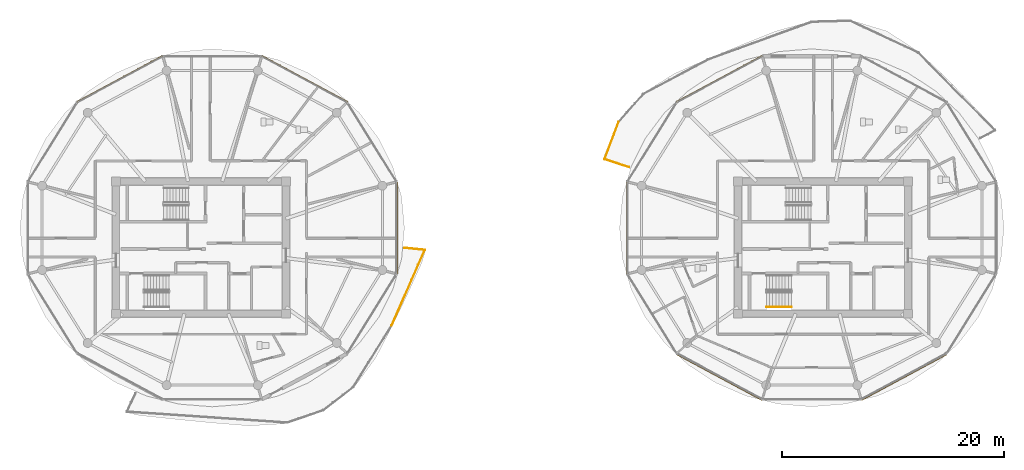
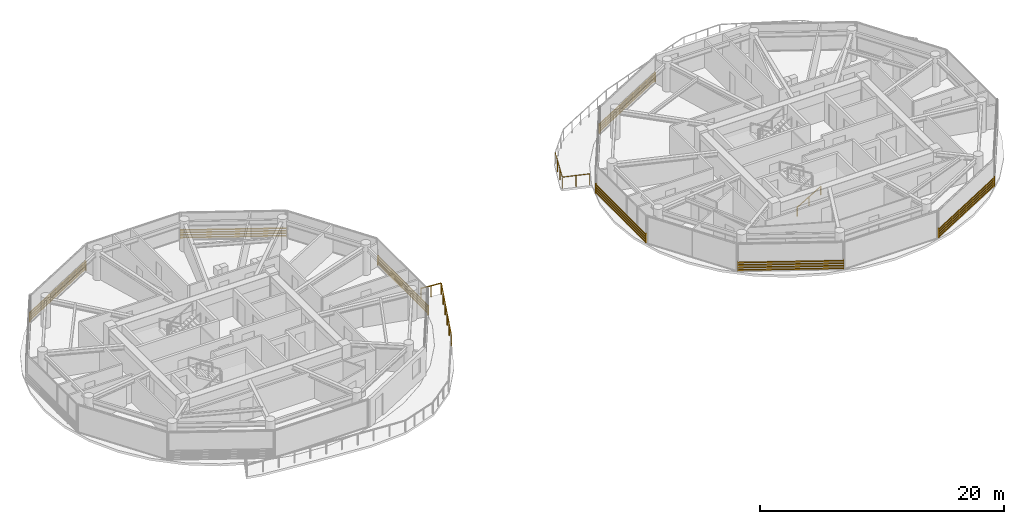
# One storey, part 20 of 23: 7 shading devices, 3 railings.
"""IFC4 building model written with IfcOpenShell, lengths in metres."""

from ifc_helpers import new_model, si_unit, direction, frame, origin, origin_2d, place, context, subcontext, project, spatial, rectangle, extrude, source, transform, mapped, material, type_object, type_shapes, element, save


model = new_model("IFC4")

# Units and contexts
model_context = context("Model", 3, precision=1e-05, world=origin(), true_north=direction((0.0, 1.0)))
body_context = subcontext(model_context, "Body", "Model", "MODEL_VIEW")
ifc_project = project(units=[si_unit("LENGTHUNIT", "METRE"), si_unit("AREAUNIT", "SQUARE_METRE"), si_unit("VOLUMEUNIT", "CUBIC_METRE"), si_unit("PLANEANGLEUNIT", "RADIAN"), si_unit("MASSUNIT", "GRAM", prefix="KILO")], contexts=[model_context])

# Site, building, storey
site_placement = place(None, origin())
site = spatial("IfcSite", under=ifc_project, at=site_placement, CompositionType="ELEMENT")
building_placement = place(site_placement, origin())
building = spatial("IfcBuilding", under=site, at=building_placement, Name="Norrkilde Senior Care Towers", CompositionType="ELEMENT")
storey_placement = place(building_placement, frame((0.0, 0.0, 177.0)))
storey = spatial("IfcBuildingStorey", under=building, at=storey_placement, Name="L55", CompositionType="ELEMENT", Elevation=177.0)

# Railings
ifc_material_1 = material(Name="Anodised Aluminium", Category="aluminium")
railing_type_1 = type_object("IfcRailingType", Name="Balcony Swirl Ribbon Guardrail 1150", PredefinedType="GUARDRAIL", material=ifc_material_1)
railing_1_placement = place(storey_placement, frame((10.517333984375, 7.234375, 0.0)))
element("IfcRailing", 1, at=railing_1_placement, inside=storey, type_object=railing_type_1, Name="L55 Perimeter Safety Guard 02", PredefinedType="GUARDRAIL", context=body_context, shape_type="SweptSolid", body=[
    extrude(rectangle(XDim=0.048095703125, YDim=0.048095703125, at=origin_2d()), frame((0.0, 0.0, 1.1259765625), z_axis=(-0.950554969284, 0.310556356189, 0.0), x_axis=(-0.310556356189, -0.950554969284, 0.0)), (0.0, 0.0, 1.0), 2.26025390625),
    extrude(rectangle(XDim=0.048095703125, YDim=0.048095703125, at=origin_2d()), frame((-2.1728515625, 0.7529296875, 1.1259765625), z_axis=(0.352679073065, 0.935744340844, 0.0), x_axis=(-0.935744340844, 0.352679073065, 0.0)), (0.0, 0.0, 1.0), 3.552490234375),
    extrude(rectangle(XDim=0.0419921875, YDim=0.0419921875, at=origin_2d()), origin(), (0.0, 0.0, 1.0), 1.099853515625),
    extrude(rectangle(XDim=0.0419921875, YDim=0.0419921875, at=origin_2d()), frame((-1.09375, 0.357421875, 0.0)), (0.0, 0.0, 1.0), 1.099853515625),
    extrude(rectangle(XDim=0.0419921875, YDim=0.0419921875, at=origin_2d()), frame((-2.187255859375, 0.714599609375, 0.0)), (0.0, 0.0, 1.0), 1.099853515625),
    extrude(rectangle(XDim=0.0419921875, YDim=0.0419921875, at=origin_2d()), frame((-1.764892578125, 1.83544921875, 0.0)), (0.0, 0.0, 1.0), 1.099853515625),
    extrude(rectangle(XDim=0.0419921875, YDim=0.0419921875, at=origin_2d()), frame((-1.34228515625, 2.956298828125, 0.0)), (0.0, 0.0, 1.0), 1.099853515625),
    extrude(rectangle(XDim=0.0419921875, YDim=0.0419921875, at=origin_2d()), frame((-0.919921875, 4.0771484375, 0.0)), (0.0, 0.0, 1.0), 1.099853515625),
])
railing_2_placement = place(storey_placement, frame((-9.6640625, -0.03076171875, 0.0)))
element("IfcRailing", 2, at=railing_2_placement, inside=storey, type_object=railing_type_1, Name="L55 Perimeter Safety Guard 04", PredefinedType="GUARDRAIL", context=body_context, shape_type="SweptSolid", body=[
    extrude(rectangle(XDim=0.048095703125, YDim=0.048095703125, at=origin_2d()), frame((0.0, 0.0, 1.1259765625), z_axis=(0.995060971819, -0.099265615207, 0.0), x_axis=(0.099265615207, 0.995060971819, 0.0)), (0.0, 0.0, 1.0), 1.78662109375),
    extrude(rectangle(XDim=0.048095703125, YDim=0.048095703125, at=origin_2d()), frame((1.802001953125, -0.21875, 1.1259765625), z_axis=(-0.402076862804, -0.915605917629, 0.0), x_axis=(0.915605917629, -0.402076862804, 0.0)), (0.0, 0.0, 1.0), 7.37841796875),
    extrude(rectangle(XDim=0.0419921875, YDim=0.0419921875, at=origin_2d()), origin(), (0.0, 0.0, 1.0), 1.099853515625),
    extrude(rectangle(XDim=0.0419921875, YDim=0.0419921875, at=origin_2d()), frame((0.9091796875, -0.0908203125, 0.0)), (0.0, 0.0, 1.0), 1.099853515625),
    extrude(rectangle(XDim=0.0419921875, YDim=0.0419921875, at=origin_2d()), frame((1.818359375, -0.181396484375, 0.0)), (0.0, 0.0, 1.0), 1.099853515625),
    extrude(rectangle(XDim=0.0419921875, YDim=0.0419921875, at=origin_2d()), frame((1.2216796875, -1.5400390625, 0.0)), (0.0, 0.0, 1.0), 1.099853515625),
    extrude(rectangle(XDim=0.0419921875, YDim=0.0419921875, at=origin_2d()), frame((0.625, -2.898681640625, 0.0)), (0.0, 0.0, 1.0), 1.099853515625),
    extrude(rectangle(XDim=0.0419921875, YDim=0.0419921875, at=origin_2d()), frame((0.028564453125, -4.25732421875, 0.0)), (0.0, 0.0, 1.0), 1.099853515625),
    extrude(rectangle(XDim=0.0419921875, YDim=0.0419921875, at=origin_2d()), frame((-0.568115234375, -5.615966796875, 0.0)), (0.0, 0.0, 1.0), 1.099853515625),
    extrude(rectangle(XDim=0.0419921875, YDim=0.0419921875, at=origin_2d()), frame((-1.164794921875, -6.974609375, 0.0)), (0.0, 0.0, 1.0), 1.099853515625),
])
ifc_material_2 = material(Name="Nordic Ash Timber", Category="wood")
railing_type_2 = type_object("IfcRailingType", Name="Wall and Stair Handrail 900", PredefinedType="HANDRAIL", material=ifc_material_2)
railing_3_placement = place(storey_placement, frame((22.89990234375, -5.35009765625, 0.16943359375)))
element("IfcRailing", 3, at=railing_3_placement, inside=storey, type_object=railing_type_2, Name="L55 ST-E2 stair handrail 1", PredefinedType="HANDRAIL", context=body_context, shape_type="SweptSolid", body=[
    extrude(rectangle(XDim=0.048095703125, YDim=0.048095703125, at=origin_2d()), frame((0.0, 0.0, 0.8759765625), z_axis=(0.855553338991, 0.0, 0.51771467445), x_axis=(0.0, 1.0, 0.0)), (0.0, 0.0, 1.0), 2.6181640625),
    extrude(rectangle(XDim=0.0419921875, YDim=0.0419921875, at=origin_2d()), origin(), (0.0, 0.0, 1.0), 0.849853515625),
    extrude(rectangle(XDim=0.0419921875, YDim=0.0419921875, at=origin_2d()), frame((1.1201171875, 0.0, 0.677734375)), (0.0, 0.0, 1.0), 0.849853515625),
    extrude(rectangle(XDim=0.0419921875, YDim=0.0419921875, at=origin_2d()), frame((2.239990234375, 0.0, 1.35546875)), (0.0, 0.0, 1.0), 0.849853515625),
])

# Shading devices
ifc_material_3 = material(Name="Architectural Terracotta", Category="masonry")
shading_device_type = type_object("IfcShadingDeviceType", Name="Horizontal Terracotta Baguette Rack", PredefinedType="USERDEFINED", material=ifc_material_3)
shared_shape_1 = source(origin(), body_context, "Body", "SweptSolid", [
    extrude(rectangle(XDim=0.070068359375, YDim=0.110107421875, at=origin_2d()), frame((0.0, 0.090087890625, 0.125), z_axis=(1.0, 0.0, 0.0), x_axis=(0.0, 1.0, 0.0)), (0.0, 0.0, 1.0), 8.741943359375),
    extrude(rectangle(XDim=0.070068359375, YDim=0.110107421875, at=origin_2d()), frame((0.0, 0.090087890625, 0.375), z_axis=(1.0, 0.0, 0.0), x_axis=(0.0, 1.0, 0.0)), (0.0, 0.0, 1.0), 8.741943359375),
    extrude(rectangle(XDim=0.070068359375, YDim=0.110107421875, at=origin_2d()), frame((0.0, 0.090087890625, 0.625), z_axis=(1.0, 0.0, 0.0), x_axis=(0.0, 1.0, 0.0)), (0.0, 0.0, 1.0), 8.741943359375),
    extrude(rectangle(XDim=0.070068359375, YDim=0.110107421875, at=origin_2d()), frame((0.0, 0.090087890625, 0.875), z_axis=(1.0, 0.0, 0.0), x_axis=(0.0, 1.0, 0.0)), (0.0, 0.0, 1.0), 8.741943359375),
    extrude(rectangle(XDim=0.050048828125, YDim=0.1552734375, at=origin_2d()), frame((0.02490234375, 0.047607421875, 0.0)), (0.0, 0.0, 1.0), 1.0),
    extrude(rectangle(XDim=0.050048828125, YDim=0.1552734375, at=origin_2d()), frame((8.716796875, 0.047607421875, 0.0)), (0.0, 0.0, 1.0), 1.0),
])
for number, where, z_axis, x_axis, name in (
    (4, (-22.528564453125, 17.2109375, 0.080078125), (0.0, 0.0, 1.0), (0.881000921608, -0.473119781048, 0.0), "L55 Drum W Terracotta Baguette Screen 01"),
    (5, (14.826904296875, 13.074951171875, 0.080078125), (0.0, 0.0, 1.0), (0.881000921608, 0.473119781048, 0.0), "L55 Drum E Terracotta Baguette Screen 03"),
    (6, (22.528564453125, -13.66015625, 0.080078125), (0.0, 0.0, 1.0), (-0.881000921608, 0.473119781048, 0.0), "L55 Drum E Terracotta Baguette Screen 07"),
):
    element("IfcShadingDevice", number, at=place(storey_placement, frame(where, z_axis=z_axis, x_axis=x_axis)), inside=storey, type_object=shading_device_type, Name=name, ObjectType="BAGUETTE", PredefinedType="USERDEFINED", context=body_context, shape_type="MappedRepresentation", body=[
        mapped(shared_shape_1, transform((0.0, 0.0, 0.0), x_axis=(1.0, 0.0, 0.0), y_axis=(0.0, 1.0, 0.0), z_axis=(0.0, 0.0, 1.0), scale=1.0)),
    ])
shared_shape_2 = source(origin(), body_context, "Body", "SweptSolid", [
    extrude(rectangle(XDim=0.070068359375, YDim=0.110107421875, at=origin_2d()), frame((0.0, 0.090087890625, 0.125), z_axis=(1.0, 0.0, 0.0), x_axis=(0.0, 1.0, 0.0)), (0.0, 0.0, 1.0), 8.74169921875),
    extrude(rectangle(XDim=0.070068359375, YDim=0.110107421875, at=origin_2d()), frame((0.0, 0.090087890625, 0.375), z_axis=(1.0, 0.0, 0.0), x_axis=(0.0, 1.0, 0.0)), (0.0, 0.0, 1.0), 8.74169921875),
    extrude(rectangle(XDim=0.070068359375, YDim=0.110107421875, at=origin_2d()), frame((0.0, 0.090087890625, 0.625), z_axis=(1.0, 0.0, 0.0), x_axis=(0.0, 1.0, 0.0)), (0.0, 0.0, 1.0), 8.74169921875),
    extrude(rectangle(XDim=0.070068359375, YDim=0.110107421875, at=origin_2d()), frame((0.0, 0.090087890625, 0.875), z_axis=(1.0, 0.0, 0.0), x_axis=(0.0, 1.0, 0.0)), (0.0, 0.0, 1.0), 8.74169921875),
    extrude(rectangle(XDim=0.050048828125, YDim=0.1552734375, at=origin_2d()), frame((0.02490234375, 0.047607421875, 0.0)), (0.0, 0.0, 1.0), 1.0),
    extrude(rectangle(XDim=0.050048828125, YDim=0.1552734375, at=origin_2d()), frame((8.716796875, 0.047607421875, 0.0)), (0.0, 0.0, 1.0), 1.0),
])
for number, where, z_axis, x_axis, name in (
    (7, (-39.123046875, 13.074951171875, 0.080078125), (0.0, 0.0, 1.0), (0.880997598168, 0.47313299447, 0.0), "L55 Drum W Terracotta Baguette Screen 03"),
    (8, (39.123046875, -9.524169921875, 0.080078125), (0.0, 0.0, 1.0), (-0.880997598168, -0.47313299447, 0.0), "L55 Drum E Terracotta Baguette Screen 09"),
):
    element("IfcShadingDevice", number, at=place(storey_placement, frame(where, z_axis=z_axis, x_axis=x_axis)), inside=storey, type_object=shading_device_type, Name=name, ObjectType="BAGUETTE", PredefinedType="USERDEFINED", context=body_context, shape_type="MappedRepresentation", body=[
        mapped(shared_shape_2, transform((0.0, 0.0, 0.0), x_axis=(1.0, 0.0, 0.0), y_axis=(0.0, 1.0, 0.0), z_axis=(0.0, 0.0, 1.0), scale=1.0)),
    ])
shared_shape_3 = source(origin(), body_context, "Body", "SweptSolid", [
    extrude(rectangle(XDim=0.070068359375, YDim=0.110107421875, at=origin_2d()), frame((0.0, 0.090087890625, 0.125), z_axis=(1.0, 0.0, 0.0), x_axis=(0.0, 1.0, 0.0)), (0.0, 0.0, 1.0), 8.27197265625),
    extrude(rectangle(XDim=0.070068359375, YDim=0.110107421875, at=origin_2d()), frame((0.0, 0.090087890625, 0.375), z_axis=(1.0, 0.0, 0.0), x_axis=(0.0, 1.0, 0.0)), (0.0, 0.0, 1.0), 8.27197265625),
    extrude(rectangle(XDim=0.070068359375, YDim=0.110107421875, at=origin_2d()), frame((0.0, 0.090087890625, 0.625), z_axis=(1.0, 0.0, 0.0), x_axis=(0.0, 1.0, 0.0)), (0.0, 0.0, 1.0), 8.27197265625),
    extrude(rectangle(XDim=0.070068359375, YDim=0.110107421875, at=origin_2d()), frame((0.0, 0.090087890625, 0.875), z_axis=(1.0, 0.0, 0.0), x_axis=(0.0, 1.0, 0.0)), (0.0, 0.0, 1.0), 8.27197265625),
    extrude(rectangle(XDim=0.050048828125, YDim=0.1552734375, at=origin_2d()), frame((0.02490234375, 0.047607421875, 0.0)), (0.0, 0.0, 1.0), 1.0),
    extrude(rectangle(XDim=0.050048828125, YDim=0.1552734375, at=origin_2d()), frame((8.2470703125, 0.047607421875, 0.0)), (0.0, 0.0, 1.0), 1.0),
])
type_shapes(shading_device_type, [shared_shape_1, shared_shape_2, shared_shape_3])
for number, where, z_axis, x_axis, name in (
    (9, (-10.38037109375, 5.911376953125, 0.080078125), (0.0, 0.0, 1.0), (0.0, -1.0, 0.0), "L55 Drum W Terracotta Baguette Screen 11"),
    (10, (10.38037109375, -2.360595703125, 0.080078125), (0.0, 0.0, 1.0), (0.0, 1.0, 0.0), "L55 Drum E Terracotta Baguette Screen 05"),
):
    element("IfcShadingDevice", number, at=place(storey_placement, frame(where, z_axis=z_axis, x_axis=x_axis)), inside=storey, type_object=shading_device_type, Name=name, ObjectType="BAGUETTE", PredefinedType="USERDEFINED", context=body_context, shape_type="MappedRepresentation", body=[
        mapped(shared_shape_3, transform((0.0, 0.0, 0.0), x_axis=(1.0, 0.0, 0.0), y_axis=(0.0, 1.0, 0.0), z_axis=(0.0, 0.0, 1.0), scale=1.0)),
    ])

save(model, "model.ifc")
